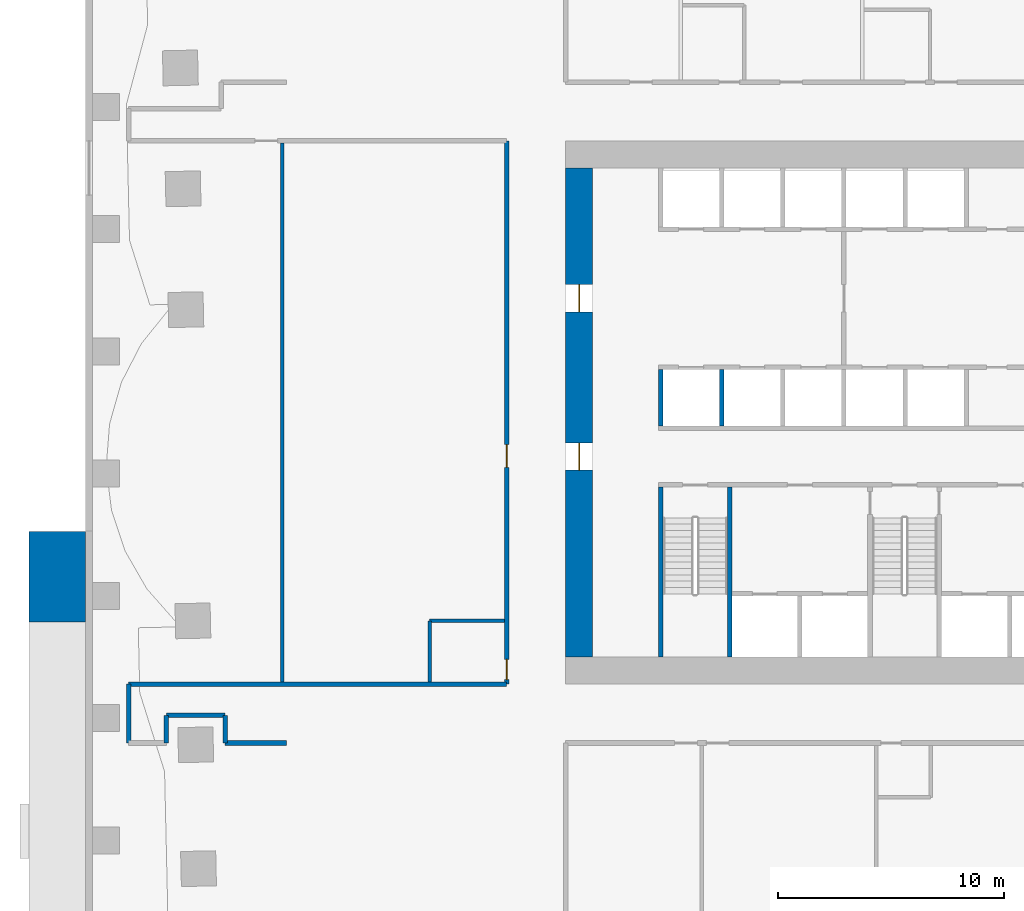
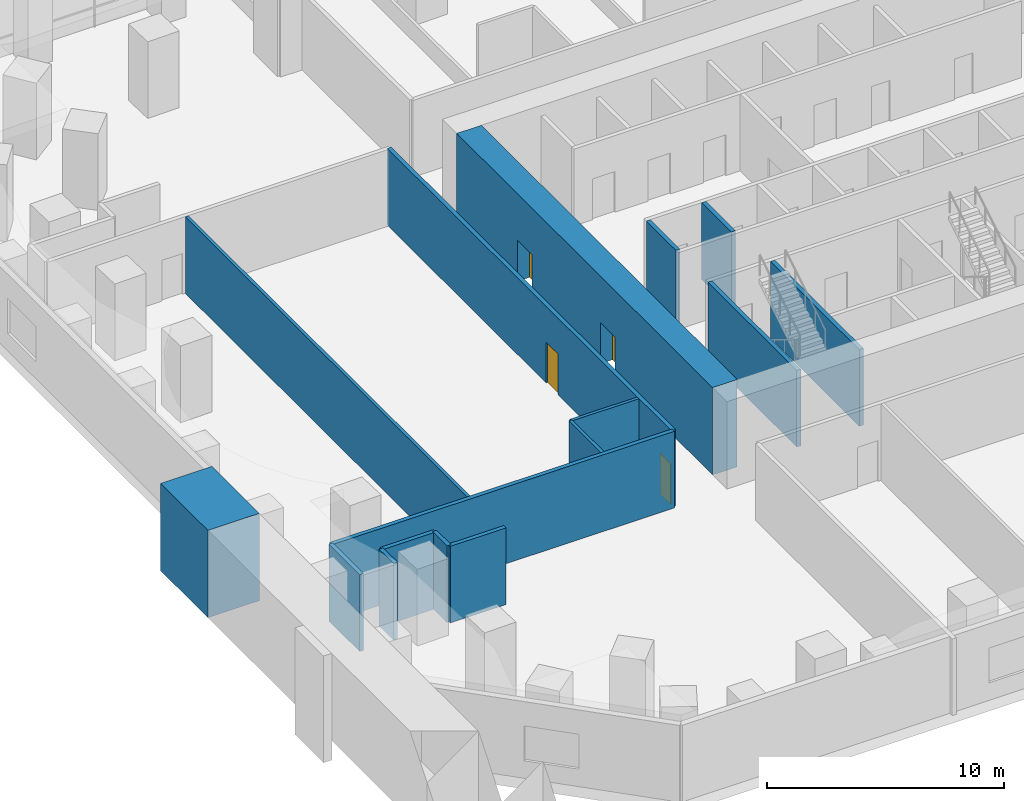
# One storey, part 5 of 12: 16 walls, 4 doors, 4 openings.
"""IFC4 building model written with IfcOpenShell, lengths in metres."""

from ifc_helpers import new_model, si_unit, direction, frame, frame_2d, origin, place, context, subcontext, project, spatial, rectangle, extrude, material, layer, layer_set, type_object, element, fill, save


model = new_model("IFC4")

# Units and contexts
model_context = context("Model", 3, precision=1e-05, world=origin(), true_north=direction((0.0, 1.0)))
body_context = subcontext(model_context, "Body", "Model", "MODEL_VIEW")
ifc_project = project(units=[si_unit("LENGTHUNIT", "METRE"), si_unit("AREAUNIT", "SQUARE_METRE"), si_unit("VOLUMEUNIT", "CUBIC_METRE"), si_unit("PLANEANGLEUNIT", "RADIAN"), si_unit("MASSUNIT", "GRAM", prefix="KILO")], contexts=[model_context])

# Site, building, storey
site_placement = place(None, origin())
site = spatial("IfcSite", under=ifc_project, at=site_placement, CompositionType="ELEMENT")
building_placement = place(site_placement, origin())
building = spatial("IfcBuilding", under=site, at=building_placement, Name="Mangrove Gate Tower", CompositionType="ELEMENT")
storey_placement = place(building_placement, frame((0.0, 0.0, 25.0)))
storey = spatial("IfcBuildingStorey", under=building, at=storey_placement, Name="L05", CompositionType="ELEMENT", Elevation=25.0)

# Walls
ifc_material_1 = material(Name="Concrete C70/85", Category="concrete")
ifc_layer_1 = layer(ifc_material_1, 0.199951171875)
ifc_layer_set_1 = layer_set([ifc_layer_1], Name="Core shaft wall 200 C70/85")
wall_type_1 = type_object("IfcWallType", Name="Core shaft wall 200 C70/85", PredefinedType="SHEAR", material=ifc_layer_set_1)
for number, where, z_axis, x_axis, name in (
    (1, (-10.800048828125, -0.60009765625, 0.0), (0.0, 0.0, 1.0), (0.0, 1.0, 0.0), "WALL-L05-CORE-19"),
    (2, (-8.10009765625, -0.60009765625, 0.0), (0.0, 0.0, 1.0), (0.0, 1.0, 0.0), "WALL-L05-CORE-20"),
):
    element("IfcWall", number, at=place(storey_placement, frame(where, z_axis=z_axis, x_axis=x_axis)), inside=storey, type_object=wall_type_1, Name=name, PredefinedType="SHEAR", context=body_context, shape_type="SweptSolid", body=[
        extrude(rectangle(XDim=2.5, YDim=0.199951171875, at=frame_2d((1.25, 0.0))), origin(), (0.0, 0.0, 1.0), 3.949951171875),
    ])
ifc_material_2 = material(Name="Concrete C70/85", Category="concrete")
ifc_layer_2 = layer(ifc_material_2, 0.199951171875)
ifc_layer_set_2 = layer_set([ifc_layer_2], Name="Core stair wall 200 C70/85")
wall_type_2 = type_object("IfcWallType", Name="Core stair wall 200 C70/85", PredefinedType="SHEAR", material=ifc_layer_set_2)
for number, where, z_axis, x_axis, name in (
    (3, (-10.800048828125, -10.800048828125, 0.0), (0.0, 0.0, 1.0), (0.0, 1.0, 0.0), "WALL-L05-CORE-9"),
    (4, (-7.75, -10.800048828125, 0.0), (0.0, 0.0, 1.0), (0.0, 1.0, 0.0), "WALL-L05-CORE-10"),
):
    element("IfcWall", number, at=place(storey_placement, frame(where, z_axis=z_axis, x_axis=x_axis)), inside=storey, type_object=wall_type_2, Name=name, PredefinedType="SHEAR", context=body_context, shape_type="SweptSolid", body=[
        extrude(rectangle(XDim=7.5, YDim=0.199951171875, at=frame_2d((3.75, 0.0))), origin(), (0.0, 0.0, 1.0), 3.949951171875),
    ])

# Wall, openings, doors
ifc_material_3 = material(Name="Concrete C70/85", Category="concrete")
ifc_layer_3 = layer(ifc_material_3, 1.199951171875)
ifc_layer_set_3 = layer_set([ifc_layer_3], Name="Core wall 1200 C70/85")
wall_type_3 = type_object("IfcWallType", Name="Core wall 1200 C70/85", PredefinedType="SHEAR", material=ifc_layer_set_3)
wall_1_placement = place(storey_placement, frame((-14.39990234375, -10.800048828125, 0.0), z_axis=(0.0, 0.0, 1.0), x_axis=(0.0, 1.0, 0.0)))
wall_1 = element("IfcWall", 5, at=wall_1_placement, inside=storey, type_object=wall_type_3, Name="WALL-L05-CORE-3", PredefinedType="SHEAR", context=body_context, shape_type="SweptSolid", body=[
    extrude(rectangle(XDim=21.60009765625, YDim=1.199951171875, at=frame_2d((10.800048828125, 0.0))), origin(), (0.0, 0.0, 1.0), 4.5),
])
opening_1_placement = place(wall_1_placement, frame((8.25, 0.0, 0.0)))
opening_1 = element("IfcOpeningElement", 6, at=opening_1_placement, cuts=wall_1, Name="Opening CD", PredefinedType="OPENING", context=body_context, shape_type="SweptSolid", body=[
    extrude(rectangle(XDim=1.199951171875, YDim=2.10009765625, at=frame_2d((0.60009765625, 1.050048828125))), frame((0.0, 0.60986328125, 0.0), z_axis=(0.0, -1.0, 0.0), x_axis=(1.0, 0.0, 0.0)), (0.0, 0.0, 1.0), 1.219970703125),
])
opening_2_placement = place(wall_1_placement, frame((15.25, 0.0, 0.0)))
opening_2 = element("IfcOpeningElement", 7, at=opening_2_placement, cuts=wall_1, Name="Opening CD", PredefinedType="OPENING", context=body_context, shape_type="SweptSolid", body=[
    extrude(rectangle(XDim=1.199951171875, YDim=2.10009765625, at=frame_2d((0.60009765625, 1.050048828125))), frame((0.0, 0.60986328125, 0.0), z_axis=(0.0, -1.0, 0.0), x_axis=(1.0, 0.0, 0.0)), (0.0, 0.0, 1.0), 1.219970703125),
])
ifc_material_4 = material(Name="Fire-rated steel door set", Category="steel")
door_type_1 = type_object("IfcDoorType", Name="Core ring door FD60 1200x2100", OperationType="DOUBLE_DOOR_SINGLE_SWING", PredefinedType="DOOR", material=ifc_material_4)
door_1_placement = place(opening_1_placement, origin())
door_1 = element("IfcDoor", 8, at=door_1_placement, inside=storey, type_object=door_type_1, Name="Core ring door W1", OperationType="DOUBLE_DOOR_SINGLE_SWING", OverallHeight=2.10009765625, OverallWidth=1.199951171875, PredefinedType="DOOR", context=body_context, shape_type="SweptSolid", body=[
    extrude(rectangle(XDim=1.199951171875, YDim=2.10009765625, at=frame_2d((0.60009765625, 1.050048828125))), frame((0.0, 0.02490234375, 0.0), z_axis=(0.0, -1.0, 0.0), x_axis=(1.0, 0.0, 0.0)), (0.0, 0.0, 1.0), 0.050048828125),
])
fill(opening_1, door_1)
door_2_placement = place(opening_2_placement, origin())
door_2 = element("IfcDoor", 9, at=door_2_placement, inside=storey, type_object=door_type_1, Name="Core ring door W2", OperationType="DOUBLE_DOOR_SINGLE_SWING", OverallHeight=2.10009765625, OverallWidth=1.199951171875, PredefinedType="DOOR", context=body_context, shape_type="SweptSolid", body=[
    extrude(rectangle(XDim=1.199951171875, YDim=2.10009765625, at=frame_2d((0.60009765625, 1.050048828125))), frame((0.0, 0.02490234375, 0.0), z_axis=(0.0, -1.0, 0.0), x_axis=(1.0, 0.0, 0.0)), (0.0, 0.0, 1.0), 0.050048828125),
])
fill(opening_2, door_2)

# Walls
ifc_material_5 = material(Name="Gypsum board on steel stud, EI 60", Category="steel")
ifc_layer_4 = layer(ifc_material_5, 0.199951171875)
ifc_layer_set_4 = layer_set([ifc_layer_4], Name="Corridor wall EI 60")
wall_type_4 = type_object("IfcWallType", Name="Corridor wall EI 60", PredefinedType="PARTITIONING", material=ifc_layer_set_4)
wall_2_placement = place(storey_placement, frame((-34.300048828125, -14.60009765625, 0.0), z_axis=(0.0, 0.0, 1.0), x_axis=(0.0, 1.0, 0.0)))
element("IfcWall", 10, at=wall_2_placement, inside=storey, type_object=wall_type_4, Name="WALL-L05-009", PredefinedType="PARTITIONING", context=body_context, shape_type="SweptSolid", body=[
    extrude(rectangle(XDim=2.60009765625, YDim=0.199951171875, at=frame_2d((1.300048828125, 0.0))), origin(), (0.0, 0.0, 1.0), 3.949951171875),
])
for number, where, z_axis, x_axis, name in (
    (11, (-32.639892578125, -14.60009765625, 0.0), (0.0, 0.0, 1.0), (0.0, 1.0, 0.0), "WALL-L05-010"),
    (12, (-30.0400390625, -14.60009765625, 0.0), (0.0, 0.0, 1.0), (0.0, 1.0, 0.0), "WALL-L05-011"),
):
    element("IfcWall", number, at=place(storey_placement, frame(where, z_axis=z_axis, x_axis=x_axis)), inside=storey, type_object=wall_type_4, Name=name, PredefinedType="PARTITIONING", context=body_context, shape_type="SweptSolid", body=[
        extrude(rectangle(XDim=1.22216796875, YDim=0.199951171875, at=frame_2d((0.611083984375, 0.0))), origin(), (0.0, 0.0, 1.0), 3.949951171875),
    ])
wall_3_placement = place(storey_placement, frame((-30.037109375, -14.60009765625, 0.0), z_axis=(0.0, 0.0, 1.0), x_axis=(1.0, 0.0, 0.0)))
element("IfcWall", 13, at=wall_3_placement, inside=storey, type_object=wall_type_4, Name="WALL-L05-012", PredefinedType="PARTITIONING", context=body_context, shape_type="SweptSolid", body=[
    extrude(rectangle(XDim=2.72119140625, YDim=0.199951171875, at=frame_2d((1.360595703125, 0.0))), origin(), (0.0, 0.0, 1.0), 3.949951171875),
])
wall_4_placement = place(storey_placement, frame((-32.636962890625, -13.3798828125, 0.0), z_axis=(0.0, 0.0, 1.0), x_axis=(1.0, 0.0, 0.0)))
element("IfcWall", 14, at=wall_4_placement, inside=storey, type_object=wall_type_4, Name="WALL-L05-016", PredefinedType="PARTITIONING", context=body_context, shape_type="SweptSolid", body=[
    extrude(rectangle(XDim=2.599853515625, YDim=0.199951171875, at=frame_2d((1.2998046875, 0.0))), origin(), (0.0, 0.0, 1.0), 3.949951171875),
])
wall_5_placement = place(storey_placement, frame((-34.300048828125, -12.0, 0.0), z_axis=(0.0, 0.0, 1.0), x_axis=(1.0, 0.0, 0.0)))
element("IfcWall", 15, at=wall_5_placement, inside=storey, type_object=wall_type_4, Name="WALL-L05-017", PredefinedType="PARTITIONING", context=body_context, shape_type="SweptSolid", body=[
    extrude(rectangle(XDim=16.699951171875, YDim=0.199951171875, at=frame_2d((8.35009765625, 0.0))), origin(), (0.0, 0.0, 1.0), 3.949951171875),
])

# Wall, openings, doors
wall_6_placement = place(storey_placement, frame((-17.60009765625, -12.0, 0.0), z_axis=(0.0, 0.0, 1.0), x_axis=(0.0, 1.0, 0.0)))
wall_6 = element("IfcWall", 16, at=wall_6_placement, inside=storey, type_object=wall_type_4, Name="WALL-L05-020", PredefinedType="PARTITIONING", context=body_context, shape_type="SweptSolid", body=[
    extrude(rectangle(XDim=24.0, YDim=0.199951171875, at=frame_2d((12.0, 0.0))), origin(), (0.0, 0.0, 1.0), 3.949951171875),
])
opening_3_placement = place(wall_6_placement, frame((9.580078125, 0.0, 0.0)))
opening_3 = element("IfcOpeningElement", 17, at=opening_3_placement, cuts=wall_6, Name="Opening AD", PredefinedType="OPENING", context=body_context, shape_type="SweptSolid", body=[
    extrude(rectangle(XDim=1.0, YDim=2.10009765625, at=frame_2d((0.5, 1.050048828125))), frame((0.0, 0.10986328125, 0.0), z_axis=(0.0, -1.0, 0.0), x_axis=(1.0, 0.0, 0.0)), (0.0, 0.0, 1.0), 0.219970703125),
])
opening_4_placement = place(wall_6_placement, frame((0.199951171875, 0.0, 0.0)))
opening_4 = element("IfcOpeningElement", 18, at=opening_4_placement, cuts=wall_6, Name="Opening SD", PredefinedType="OPENING", context=body_context, shape_type="SweptSolid", body=[
    extrude(rectangle(XDim=0.89990234375, YDim=2.10009765625, at=frame_2d((0.449951171875, 1.050048828125))), frame((0.0, 0.10986328125, 0.0), z_axis=(0.0, -1.0, 0.0), x_axis=(1.0, 0.0, 0.0)), (0.0, 0.0, 1.0), 0.219970703125),
])
ifc_material_6 = material(Name="Timber door leaf", Category="wood")
door_type_2 = type_object("IfcDoorType", Name="Amenity door 1000", OperationType="SINGLE_SWING_LEFT", PredefinedType="DOOR", material=ifc_material_6)
door_3_placement = place(opening_3_placement, origin())
door_3 = element("IfcDoor", 19, at=door_3_placement, inside=storey, type_object=door_type_2, Name="DOOR-L05-POD-06", OperationType="SINGLE_SWING_RIGHT", OverallHeight=2.10009765625, OverallWidth=1.0, PredefinedType="DOOR", context=body_context, shape_type="SweptSolid", body=[
    extrude(rectangle(XDim=1.0, YDim=2.10009765625, at=frame_2d((0.5, 1.050048828125))), frame((0.0, 0.02490234375, 0.0), z_axis=(0.0, -1.0, 0.0), x_axis=(1.0, 0.0, 0.0)), (0.0, 0.0, 1.0), 0.050048828125),
])
fill(opening_3, door_3)
ifc_material_7 = material(Name="Timber door leaf", Category="wood")
door_type_3 = type_object("IfcDoorType", Name="Service room door 900", OperationType="SINGLE_SWING_LEFT", PredefinedType="DOOR", material=ifc_material_7)
door_4_placement = place(opening_4_placement, origin())
door_4 = element("IfcDoor", 20, at=door_4_placement, inside=storey, type_object=door_type_3, Name="DOOR-L05-PSV-06", OperationType="SINGLE_SWING_RIGHT", OverallHeight=2.10009765625, OverallWidth=0.89990234375, PredefinedType="DOOR", context=body_context, shape_type="SweptSolid", body=[
    extrude(rectangle(XDim=0.89990234375, YDim=2.10009765625, at=frame_2d((0.449951171875, 1.050048828125))), frame((0.0, 0.02490234375, 0.0), z_axis=(0.0, -1.0, 0.0), x_axis=(1.0, 0.0, 0.0)), (0.0, 0.0, 1.0), 0.050048828125),
])
fill(opening_4, door_4)

# Walls
ifc_material_8 = material(Name="Gypsum board on steel stud, EI 60", Category="steel")
ifc_layer_5 = layer(ifc_material_8, 0.14990234375)
ifc_layer_set_5 = layer_set([ifc_layer_5], Name="Party wall 150 EI 60")
wall_type_5 = type_object("IfcWallType", Name="Party wall 150 EI 60", PredefinedType="PARTITIONING", material=ifc_layer_set_5)
wall_7_placement = place(storey_placement, frame((-27.52001953125, -11.89990234375, 0.0), z_axis=(0.0, 0.0, 1.0), x_axis=(0.0, 1.0, 0.0)))
element("IfcWall", 21, at=wall_7_placement, inside=storey, type_object=wall_type_5, Name="WALL-L05-018", PredefinedType="PARTITIONING", context=body_context, shape_type="SweptSolid", body=[
    extrude(rectangle(XDim=23.7998046875, YDim=0.14990234375, at=frame_2d((11.89990234375, 0.0))), origin(), (0.0, 0.0, 1.0), 3.949951171875),
])
wall_8_placement = place(storey_placement, frame((-21.0, -11.89990234375, 0.0), z_axis=(0.0, 0.0, 1.0), x_axis=(0.0, 1.0, 0.0)))
element("IfcWall", 22, at=wall_8_placement, inside=storey, type_object=wall_type_5, Name="WALL-L05-019", PredefinedType="PARTITIONING", context=body_context, shape_type="SweptSolid", body=[
    extrude(rectangle(XDim=2.699951171875, YDim=0.14990234375, at=frame_2d((1.35009765625, 0.0))), origin(), (0.0, 0.0, 1.0), 3.949951171875),
])
wall_9_placement = place(storey_placement, frame((-21.0, -9.199951171875, 0.0), z_axis=(0.0, 0.0, 1.0), x_axis=(1.0, 0.0, 0.0)))
element("IfcWall", 23, at=wall_9_placement, inside=storey, type_object=wall_type_5, Name="WALL-L05-022", PredefinedType="PARTITIONING", context=body_context, shape_type="SweptSolid", body=[
    extrude(rectangle(XDim=3.300048828125, YDim=0.14990234375, at=frame_2d((1.64990234375, 0.0))), origin(), (0.0, 0.0, 1.0), 3.949951171875),
])
ifc_material_9 = material(Name="Limestone", Category="masonry")
ifc_layer_6 = layer(ifc_material_9, 0.06005859375, Name="Limestone cladding")
ifc_material_10 = material(Name="Concrete C40/50", Category="concrete")
ifc_layer_7 = layer(ifc_material_10, 2.340087890625, Name="Gate core wall")
ifc_layer_8 = layer(ifc_material_9, 0.10009765625, Name="Limestone reveal lining")
ifc_layer_set_6 = layer_set([ifc_layer_6, ifc_layer_7, ifc_layer_8], Name="Stone gate wall 2500")
wall_type_6 = type_object("IfcWallType", Name="Stone gate wall 2500", PredefinedType="STANDARD", material=ifc_layer_set_6)
wall_10_placement = place(storey_placement, frame((-37.449951171875, -9.25, 0.0), z_axis=(0.0, 0.0, 1.0), x_axis=(0.0, 1.0, 0.0)))
element("IfcWall", 24, at=wall_10_placement, inside=storey, type_object=wall_type_6, Name="ARCH PIER W 2", PredefinedType="STANDARD", context=body_context, shape_type="SweptSolid", body=[
    extrude(rectangle(XDim=4.0, YDim=2.5, at=frame_2d((2.0, 0.0))), origin(), (0.0, 0.0, 1.0), 4.5),
])

save(model, "model.ifc")
